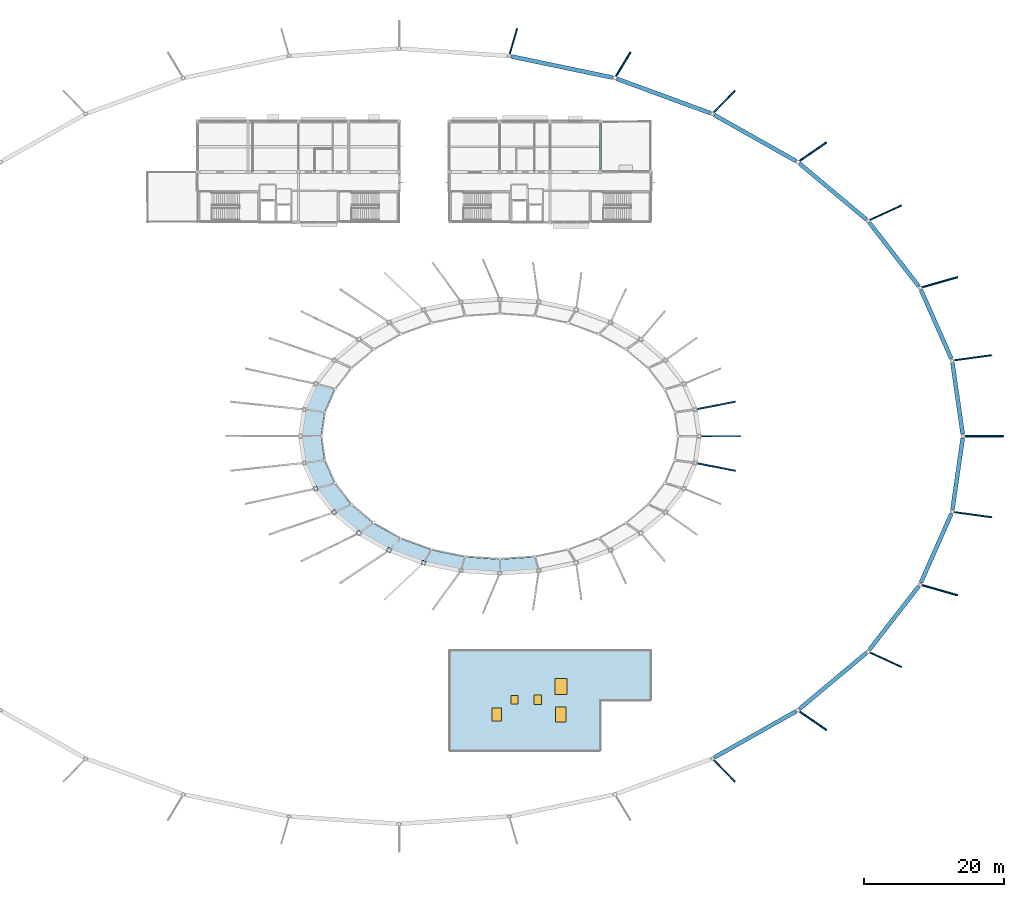
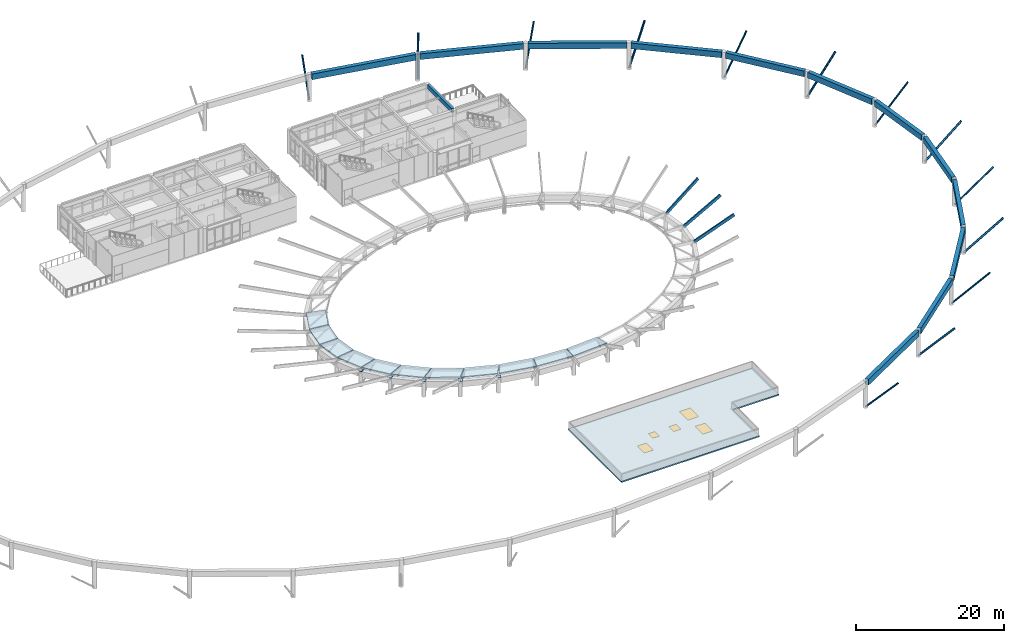
# One storey, part 14 of 37: 16 members, 13 beams, 12 slabs, 5 plates, 3 windows, 2 doors, 5 openings.
"""IFC4 building model written with IfcOpenShell, lengths in metres."""

from ifc_helpers import new_model, si_unit, direction, frame, origin, origin_2d, place, context, subcontext, project, spatial, polyline, rectangle, hollow_circle, outline, extrude, material, layer, layer_set, material_profile, profile_set, type_object, element, fill, save


model = new_model("IFC4")

# Units and contexts
model_context = context("Model", 3, precision=1e-05, world=origin(), true_north=direction((0.0, 1.0)))
body_context = subcontext(model_context, "Body", "Model", "MODEL_VIEW")
ifc_project = project(units=[si_unit("LENGTHUNIT", "METRE"), si_unit("AREAUNIT", "SQUARE_METRE"), si_unit("VOLUMEUNIT", "CUBIC_METRE"), si_unit("PLANEANGLEUNIT", "RADIAN"), si_unit("MASSUNIT", "GRAM", prefix="KILO")], contexts=[model_context])

# Site, building, storey
site_placement = place(None, origin())
site = spatial("IfcSite", under=ifc_project, at=site_placement, CompositionType="ELEMENT")
building_placement = place(site_placement, origin())
building = spatial("IfcBuilding", under=site, at=building_placement, Name="Namkhue Oval Health Centre", CompositionType="ELEMENT")
storey_placement = place(building_placement, frame((0.0, 0.0, 22.199951171875)))
storey = spatial("IfcBuildingStorey", under=building, at=storey_placement, Name="L05", CompositionType="ELEMENT", Elevation=22.199951171875)

# Members
ifc_material_1 = material(Name="Structural steel EN 10025-2 S355JR (TCVN 5575:2024)", Category="steel")
ifc_material_profile_1 = material_profile(ifc_material_1, hollow_circle(Radius=0.136474609375, WallThickness=0.012451171875, at=origin_2d()), Name="CHS 273x12.5")
ifc_profile_set_1 = profile_set([ifc_material_profile_1], Name="Structural steel EN 10025-2 S355JR (TCVN 5575:2024)")
member_type_1 = type_object("IfcMemberType", Name="CANOPY STRUT CHS 273", PredefinedType="STRUT", material=ifc_profile_set_1)
member_1_placement = place(storey_placement, frame((165.505615234375, 70.218017578125, 0.11279296875), z_axis=(0.759271337259, 0.103800202316, 0.642442646791), x_axis=(-0.13545038273, 0.990784130787, 0.0)))
element("IfcMember", 1, at=member_1_placement, inside=storey, type_object=member_type_1, Name="Outer Overhang Tree-Branch Canopy Strut 2", PredefinedType="STRUT", context=body_context, shape_type="SweptSolid", body=[
    extrude(hollow_circle(Radius=0.136474609375, WallThickness=0.012451171875, at=origin_2d()), origin(), (0.0, 0.0, 1.0), 7.420654296875),
])
member_2_placement = place(storey_placement, frame((153.463134765625, 90.20703125, 0.113525390625), z_axis=(0.67310995721, 0.309199778933, 0.671802413075), x_axis=(-0.417425531748, 0.908711134214, 0.0)))
element("IfcMember", 2, at=member_2_placement, inside=storey, type_object=member_type_1, Name="Outer Overhang Tree-Branch Canopy Strut 4", PredefinedType="STRUT", context=body_context, shape_type="SweptSolid", body=[
    extrude(hollow_circle(Radius=0.136474609375, WallThickness=0.012451171875, at=origin_2d()), origin(), (0.0, 0.0, 1.0), 7.09521484375),
])
member_3_placement = place(storey_placement, frame((131.210693359375, 105.506591796875, 0.114501953125), z_axis=(0.482838358005, 0.496766742807, 0.721172602974), x_axis=(-0.717088204568, 0.696982429384, 0.0)))
element("IfcMember", 3, at=member_3_placement, inside=storey, type_object=member_type_1, Name="Outer Overhang Tree-Branch Canopy Strut 6", PredefinedType="STRUT", context=body_context, shape_type="SweptSolid", body=[
    extrude(hollow_circle(Radius=0.136474609375, WallThickness=0.012451171875, at=origin_2d()), origin(), (0.0, 0.0, 1.0), 6.608154296875),
])
member_4_placement = place(storey_placement, frame((102.1357421875, 113.787109375, 0.115234375), z_axis=(0.179481966001, 0.620362906898, 0.763502513175), x_axis=(-0.960604276788, 0.277919814725, 0.0)))
element("IfcMember", 4, at=member_4_placement, inside=storey, type_object=member_type_1, Name="Outer Overhang Tree-Branch Canopy Strut 8", PredefinedType="STRUT", context=body_context, shape_type="SweptSolid", body=[
    extrude(hollow_circle(Radius=0.136474609375, WallThickness=0.012451171875, at=origin_2d()), origin(), (0.0, 0.0, 1.0), 6.24072265625),
])
member_5_placement = place(storey_placement, frame((131.210693359375, 13.29345703125, 0.114501953125), z_axis=(0.482838358005, -0.496766742807, 0.721172602974), x_axis=(0.717088204568, 0.696982429384, 0.0)))
element("IfcMember", 5, at=member_5_placement, inside=storey, type_object=member_type_1, Name="Outer Overhang Tree-Branch Canopy Strut 28", PredefinedType="STRUT", context=body_context, shape_type="SweptSolid", body=[
    extrude(hollow_circle(Radius=0.136474609375, WallThickness=0.012451171875, at=origin_2d()), origin(), (0.0, 0.0, 1.0), 6.608154296875),
])
member_6_placement = place(storey_placement, frame((153.463134765625, 28.593017578125, 0.113525390625), z_axis=(0.67310995721, -0.309199778933, 0.671802413075), x_axis=(0.417425531748, 0.908711134214, 0.0)))
element("IfcMember", 6, at=member_6_placement, inside=storey, type_object=member_type_1, Name="Outer Overhang Tree-Branch Canopy Strut 30", PredefinedType="STRUT", context=body_context, shape_type="SweptSolid", body=[
    extrude(hollow_circle(Radius=0.136474609375, WallThickness=0.012451171875, at=origin_2d()), origin(), (0.0, 0.0, 1.0), 7.09521484375),
])
member_7_placement = place(storey_placement, frame((165.505615234375, 48.58203125, 0.11279296875), z_axis=(0.759268743912, -0.103832747889, 0.642440452481), x_axis=(0.135492526673, 0.990778368363, 0.0)))
element("IfcMember", 7, at=member_7_placement, inside=storey, type_object=member_type_1, Name="Outer Overhang Tree-Branch Canopy Strut 32", PredefinedType="STRUT", context=body_context, shape_type="SweptSolid", body=[
    extrude(hollow_circle(Radius=0.136474609375, WallThickness=0.012451171875, at=origin_2d()), origin(), (0.0, 0.0, 1.0), 7.420654296875),
])
ifc_material_profile_2 = material_profile(ifc_material_1, hollow_circle(Radius=0.161865234375, WallThickness=0.012451171875, at=origin_2d()), Name="CHS 323.9x12.5")
ifc_profile_set_2 = profile_set([ifc_material_profile_2], Name="Structural steel EN 10025-2 S355JR (TCVN 5575:2024)")
member_type_2 = type_object("IfcMemberType", Name="CANOPY STRUT CHS 324", PredefinedType="STRUT", material=ifc_profile_set_2)
member_8_placement = place(storey_placement, frame((167.055419921875, 59.39990234375, 0.11279296875), z_axis=(0.769527840344, 0.0, 0.63861326555), x_axis=(0.0, 1.0, 0.0)))
element("IfcMember", 8, at=member_8_placement, inside=storey, type_object=member_type_2, Name="Outer Overhang Tree-Branch Canopy Strut 1", PredefinedType="STRUT", context=body_context, shape_type="SweptSolid", body=[
    extrude(hollow_circle(Radius=0.161865234375, WallThickness=0.012451171875, at=origin_2d()), origin(), (0.0, 0.0, 1.0), 7.465087890625),
])
member_9_placement = place(storey_placement, frame((160.916259765625, 80.6201171875, 0.113037109375), z_axis=(0.727776795173, 0.20724747491, 0.653750273844), x_axis=(-0.273879523741, 0.961764007683, 0.0)))
element("IfcMember", 9, at=member_9_placement, inside=storey, type_object=member_type_2, Name="Outer Overhang Tree-Branch Canopy Strut 3", PredefinedType="STRUT", context=body_context, shape_type="SweptSolid", body=[
    extrude(hollow_circle(Radius=0.161865234375, WallThickness=0.012451171875, at=origin_2d()), origin(), (0.0, 0.0, 1.0), 7.2919921875),
])
member_10_placement = place(storey_placement, frame((143.432861328125, 98.610107421875, 0.114013671875), z_axis=(0.592343559008, 0.407240648119, 0.695186422926), x_axis=(-0.566533027819, 0.824039033293, 0.0)))
element("IfcMember", 10, at=member_10_placement, inside=storey, type_object=member_type_2, Name="Outer Overhang Tree-Branch Canopy Strut 5", PredefinedType="STRUT", context=body_context, shape_type="SweptSolid", body=[
    extrude(hollow_circle(Radius=0.161865234375, WallThickness=0.012451171875, at=origin_2d()), origin(), (0.0, 0.0, 1.0), 6.85595703125),
])
member_11_placement = place(storey_placement, frame((117.2666015625, 110.63134765625, 0.114990234375), z_axis=(0.343848188166, 0.570711581646, 0.745692104068), x_axis=(-0.85655043467, 0.516063322535, 0.0)))
element("IfcMember", 11, at=member_11_placement, inside=storey, type_object=member_type_2, Name="Outer Overhang Tree-Branch Canopy Strut 7", PredefinedType="STRUT", context=body_context, shape_type="SweptSolid", body=[
    extrude(hollow_circle(Radius=0.161865234375, WallThickness=0.012451171875, at=origin_2d()), origin(), (0.0, 0.0, 1.0), 6.39013671875),
])
member_12_placement = place(storey_placement, frame((143.432861328125, 20.18994140625, 0.114013671875), z_axis=(0.592343559008, -0.407240648119, 0.695186422926), x_axis=(0.566533027819, 0.824039033293, 0.0)))
element("IfcMember", 12, at=member_12_placement, inside=storey, type_object=member_type_2, Name="Outer Overhang Tree-Branch Canopy Strut 29", PredefinedType="STRUT", context=body_context, shape_type="SweptSolid", body=[
    extrude(hollow_circle(Radius=0.161865234375, WallThickness=0.012451171875, at=origin_2d()), origin(), (0.0, 0.0, 1.0), 6.85595703125),
])
member_13_placement = place(storey_placement, frame((160.916259765625, 38.179931640625, 0.113037109375), z_axis=(0.727776795173, -0.20724747491, 0.653750273844), x_axis=(0.273879523741, 0.961764007683, 0.0)))
element("IfcMember", 13, at=member_13_placement, inside=storey, type_object=member_type_2, Name="Outer Overhang Tree-Branch Canopy Strut 31", PredefinedType="STRUT", context=body_context, shape_type="SweptSolid", body=[
    extrude(hollow_circle(Radius=0.161865234375, WallThickness=0.012451171875, at=origin_2d()), origin(), (0.0, 0.0, 1.0), 7.2919921875),
])
ifc_material_2 = material(Name="Glulam timber GL28h", Category="wood")
ifc_material_profile_3 = material_profile(ifc_material_2, rectangle(XDim=0.199951171875, YDim=0.47998046875, at=origin_2d()), Name="GL28h 200x480")
ifc_profile_set_3 = profile_set([ifc_material_profile_3], Name="Glulam timber GL28h")
member_type_3 = type_object("IfcMemberType", Name="GRIDSHELL ARCH RIB GL28H 200X480", PredefinedType="USERDEFINED", material=ifc_profile_set_3)
member_14_placement = place(storey_placement, frame((135.1201171875, 59.39990234375, 5.800048828125), z_axis=(-0.875865885245, 0.0, -0.482554609412), x_axis=(0.0, -1.0, 0.0)))
element("IfcMember", 14, at=member_14_placement, inside=storey, type_object=member_type_3, Name="Gridshell Glulam Arch Rib K5-1", ObjectType="ARCH_SEGMENT", PredefinedType="USERDEFINED", context=body_context, shape_type="SweptSolid", body=[
    extrude(rectangle(XDim=0.199951171875, YDim=0.47998046875, at=origin_2d()), origin(), (0.0, 0.0, 1.0), 6.63134765625),
])
for number, where, z_axis, x_axis, name in (
    (15, (134.41455078125, 64.324951171875, 5.800048828125), (-0.85790967395, -0.167141147591, -0.485854739737), (0.191228352942, -0.981545575626, 0.0), "Gridshell Glulam Arch Rib K5-2"),
    (16, (134.41455078125, 54.474853515625, 5.800048828125), (-0.857904358106, 0.167177180049, -0.485851729247), (-0.19126921194, -0.981537614442, 0.0), "Gridshell Glulam Arch Rib K5-32"),
):
    element("IfcMember", number, at=place(storey_placement, frame(where, z_axis=z_axis, x_axis=x_axis)), inside=storey, type_object=member_type_3, Name=name, ObjectType="ARCH_SEGMENT", PredefinedType="USERDEFINED", context=body_context, shape_type="SweptSolid", body=[
        extrude(rectangle(XDim=0.199951171875, YDim=0.47998046875, at=origin_2d()), origin(), (0.0, 0.0, 1.0), 6.586181640625),
    ])

# Beams
ifc_material_3 = material(Name="Reinforced concrete C35/45 (TCVN B40)", Category="concrete")
ifc_material_profile_4 = material_profile(ifc_material_3, rectangle(XDim=0.35009765625, YDim=0.64990234375, at=origin_2d()), Name="RC 350x650")
ifc_profile_set_4 = profile_set([ifc_material_profile_4], Name="Reinforced concrete C35/45 (TCVN B40)")
beam_type_1 = type_object("IfcBeamType", Name="PERIMETER SPANDREL BEAM 350X650", PredefinedType="SPANDREL", material=ifc_profile_set_4)
beam_1_placement = place(storey_placement, frame((115.199951171875, 97.5, 3.64501953125), z_axis=(0.0, 1.0, 0.0), x_axis=(-1.0, 0.0, 0.0)))
element("IfcBeam", 17, at=beam_1_placement, inside=storey, type_object=beam_type_1, Name="Volume V3 RF Beam 17/O-P", PredefinedType="SPANDREL", context=body_context, shape_type="SweptSolid", body=[
    extrude(rectangle(XDim=0.35009765625, YDim=0.64990234375, at=origin_2d()), origin(), (0.0, 0.0, 1.0), 6.60009765625),
])
ifc_material_profile_5 = material_profile(ifc_material_3, rectangle(XDim=0.60009765625, YDim=0.949951171875, at=origin_2d()), Name="RC 600x950")
ifc_profile_set_5 = profile_set([ifc_material_profile_5], Name="Reinforced concrete C35/45 (TCVN B40)")
beam_type_2 = type_object("IfcBeamType", Name="RING GIRDER RC 600X950", PredefinedType="USERDEFINED", material=ifc_profile_set_5)
beam_2_placement = place(storey_placement, frame((166.99658203125, 59.701904296875, 4.025146484375), z_axis=(-0.141805678727, 0.98989451432, 0.0), x_axis=(-0.98989451432, -0.141805678727, 0.0)))
element("IfcBeam", 18, at=beam_2_placement, inside=storey, type_object=beam_type_2, Name="Gridshell OR Concrete Ring Girder 1", ObjectType="GIRDER", PredefinedType="USERDEFINED", context=body_context, shape_type="SweptSolid", body=[
    extrude(rectangle(XDim=0.60009765625, YDim=0.949951171875, at=origin_2d()), origin(), (0.0, 0.0, 1.0), 10.316162109375),
])
beam_3_placement = place(storey_placement, frame((165.367431640625, 70.494873046875, 4.025146484375), z_axis=(-0.403675407308, 0.914902271029, 0.0), x_axis=(-0.914902271029, -0.403675407308, 0.0)))
element("IfcBeam", 19, at=beam_3_placement, inside=storey, type_object=beam_type_2, Name="Gridshell OR Concrete Ring Girder 2", ObjectType="GIRDER", PredefinedType="USERDEFINED", context=body_context, shape_type="SweptSolid", body=[
    extrude(rectangle(XDim=0.60009765625, YDim=0.949951171875, at=origin_2d()), origin(), (0.0, 0.0, 1.0), 10.757568359375),
])
beam_4_placement = place(storey_placement, frame((160.71435546875, 80.856689453125, 4.025146484375), z_axis=(-0.613782292741, 0.789475330278, 0.0), x_axis=(-0.789475330278, -0.613782292741, 0.0)))
element("IfcBeam", 20, at=beam_4_placement, inside=storey, type_object=beam_type_2, Name="Gridshell OR Concrete Ring Girder 3", ObjectType="GIRDER", PredefinedType="USERDEFINED", context=body_context, shape_type="SweptSolid", body=[
    extrude(rectangle(XDim=0.60009765625, YDim=0.949951171875, at=origin_2d()), origin(), (0.0, 0.0, 1.0), 11.53076171875),
])
beam_5_placement = place(storey_placement, frame((153.2158203125, 90.396728515625, 4.025146484375), z_axis=(-0.766572565039, 0.642157692883, 0.0), x_axis=(-0.642157692883, -0.766572565039, 0.0)))
element("IfcBeam", 21, at=beam_5_placement, inside=storey, type_object=beam_type_2, Name="Gridshell OR Concrete Ring Girder 4", ObjectType="GIRDER", PredefinedType="USERDEFINED", context=body_context, shape_type="SweptSolid", body=[
    extrude(rectangle(XDim=0.60009765625, YDim=0.949951171875, at=origin_2d()), origin(), (0.0, 0.0, 1.0), 12.472412109375),
])
beam_6_placement = place(storey_placement, frame((143.155517578125, 98.751953125, 4.025146484375), z_axis=(-0.870943734292, 0.491382754782, 0.0), x_axis=(-0.491382754782, -0.870943734292, 0.0)))
element("IfcBeam", 22, at=beam_6_placement, inside=storey, type_object=beam_type_2, Name="Gridshell OR Concrete Ring Girder 5", ObjectType="GIRDER", PredefinedType="USERDEFINED", context=body_context, shape_type="SweptSolid", body=[
    extrude(rectangle(XDim=0.60009765625, YDim=0.949951171875, at=origin_2d()), origin(), (0.0, 0.0, 1.0), 13.420654296875),
])
beam_7_placement = place(storey_placement, frame((130.914794921875, 105.601806640625, 4.025146484375), z_axis=(-0.938628425473, 0.344929962304, 0.0), x_axis=(-0.344929962304, -0.938628425473, 0.0)))
element("IfcBeam", 23, at=beam_7_placement, inside=storey, type_object=beam_type_2, Name="Gridshell OR Concrete Ring Girder 6", ObjectType="GIRDER", PredefinedType="USERDEFINED", context=body_context, shape_type="SweptSolid", body=[
    extrude(rectangle(XDim=0.60009765625, YDim=0.949951171875, at=origin_2d()), origin(), (0.0, 0.0, 1.0), 14.242919921875),
])
beam_8_placement = place(storey_placement, frame((116.9609375, 110.68212890625, 4.025146484375), z_axis=(-0.978938251723, 0.204156555891, 0.0), x_axis=(-0.204156555891, -0.978938251723, 0.0)))
element("IfcBeam", 24, at=beam_8_placement, inside=storey, type_object=beam_type_2, Name="Gridshell OR Concrete Ring Girder 7", ObjectType="GIRDER", PredefinedType="USERDEFINED", context=body_context, shape_type="SweptSolid", body=[
    extrude(rectangle(XDim=0.60009765625, YDim=0.949951171875, at=origin_2d()), origin(), (0.0, 0.0, 1.0), 14.8427734375),
])
beam_9_placement = place(storey_placement, frame((131.466796875, 13.453125, 4.025146484375), z_axis=(0.870935948991, 0.491396553462, 0.0), x_axis=(-0.491396553462, 0.870935948991, 0.0)))
element("IfcBeam", 25, at=beam_9_placement, inside=storey, type_object=beam_type_2, Name="Gridshell OR Concrete Ring Girder 28", ObjectType="GIRDER", PredefinedType="USERDEFINED", context=body_context, shape_type="SweptSolid", body=[
    extrude(rectangle(XDim=0.60009765625, YDim=0.949951171875, at=origin_2d()), origin(), (0.0, 0.0, 1.0), 13.4208984375),
])
beam_10_placement = place(storey_placement, frame((143.65478515625, 20.393798828125, 4.025146484375), z_axis=(0.766562929372, 0.642169195238, 0.0), x_axis=(-0.642169195238, 0.766562929372, 0.0)))
element("IfcBeam", 26, at=beam_10_placement, inside=storey, type_object=beam_type_2, Name="Gridshell OR Concrete Ring Girder 29", ObjectType="GIRDER", PredefinedType="USERDEFINED", context=body_context, shape_type="SweptSolid", body=[
    extrude(rectangle(XDim=0.60009765625, YDim=0.949951171875, at=origin_2d()), origin(), (0.0, 0.0, 1.0), 12.47265625),
])
beam_11_placement = place(storey_placement, frame((153.636962890625, 28.840087890625, 4.025146484375), z_axis=(0.613792552546, 0.789467353625, 0.0), x_axis=(-0.789467353625, 0.613792552546, 0.0)))
element("IfcBeam", 27, at=beam_11_placement, inside=storey, type_object=beam_type_2, Name="Gridshell OR Concrete Ring Girder 30", ObjectType="GIRDER", PredefinedType="USERDEFINED", context=body_context, shape_type="SweptSolid", body=[
    extrude(rectangle(XDim=0.60009765625, YDim=0.949951171875, at=origin_2d()), origin(), (0.0, 0.0, 1.0), 11.530517578125),
])
beam_12_placement = place(storey_placement, frame((161.02490234375, 38.463134765625, 4.025146484375), z_axis=(0.403675407308, 0.914902271029, 0.0), x_axis=(-0.914902271029, 0.403675407308, 0.0)))
element("IfcBeam", 28, at=beam_12_placement, inside=storey, type_object=beam_type_2, Name="Gridshell OR Concrete Ring Girder 31", ObjectType="GIRDER", PredefinedType="USERDEFINED", context=body_context, shape_type="SweptSolid", body=[
    extrude(rectangle(XDim=0.60009765625, YDim=0.949951171875, at=origin_2d()), origin(), (0.0, 0.0, 1.0), 10.757568359375),
])
beam_13_placement = place(storey_placement, frame((165.53369140625, 48.885986328125, 4.025146484375), z_axis=(0.141802356768, 0.989894990196, 0.0), x_axis=(-0.989894990196, 0.141802356768, 0.0)))
element("IfcBeam", 29, at=beam_13_placement, inside=storey, type_object=beam_type_2, Name="Gridshell OR Concrete Ring Girder 32", ObjectType="GIRDER", PredefinedType="USERDEFINED", context=body_context, shape_type="SweptSolid", body=[
    extrude(rectangle(XDim=0.60009765625, YDim=0.949951171875, at=origin_2d()), origin(), (0.0, 0.0, 1.0), 10.31640625),
])

# Slab, openings, doors, windows
ifc_material_4 = material(Name="Reinforced concrete C30/37 (TCVN B35)", Category="concrete")
ifc_layer_1 = layer(ifc_material_4, 0.219970703125)
ifc_layer_set_1 = layer_set([ifc_layer_1], Name="Reinforced concrete C30/37 (TCVN B35)")
slab_type_1 = type_object("IfcSlabType", Name="FLAT ROOF SLAB 220", PredefinedType="ROOF", material=ifc_layer_set_1)
slab_1_placement = place(storey_placement, origin())
slab_1 = element("IfcSlab", 30, at=slab_1_placement, inside=storey, type_object=slab_type_1, Name="Volume V5 L05 Main Roof Slab", PredefinedType="ROOF", context=body_context, shape_type="SweptSolid", body=[
    extrude(outline(polyline([(93.60009765625, 14.39990234375), (115.199951171875, 14.39990234375), (115.199951171875, 21.60009765625), (122.39990234375, 21.60009765625), (122.39990234375, 28.800048828125), (93.60009765625, 28.800048828125), (93.60009765625, 14.39990234375)])), origin(), (0.0, 0.0, 1.0), 0.219970703125),
])
opening_1_placement = place(slab_1_placement, frame((102.903076171875, 21.7080078125, 0.0)))
opening_1 = element("IfcOpeningElement", 31, at=opening_1_placement, cuts=slab_1, Name="Opening HT-01", PredefinedType="OPENING", context=body_context, shape_type="SweptSolid", body=[
    extrude(rectangle(XDim=1.0, YDim=1.199951171875, at=origin_2d()), frame((0.0, 0.0, -0.010009765625)), (0.0, 0.0, 1.0), 0.239990234375),
])
opening_2_placement = place(slab_1_placement, frame((106.202880859375, 21.7080078125, 0.0)))
opening_2 = element("IfcOpeningElement", 32, at=opening_2_placement, cuts=slab_1, Name="Opening HT-02", PredefinedType="OPENING", context=body_context, shape_type="SweptSolid", body=[
    extrude(rectangle(XDim=1.10009765625, YDim=1.300048828125, at=origin_2d()), frame((0.0, 0.0, -0.010009765625)), (0.0, 0.0, 1.0), 0.239990234375),
])
opening_3_placement = place(slab_1_placement, frame((100.3740234375, 19.60009765625, 0.0)))
opening_3 = element("IfcOpeningElement", 33, at=opening_3_placement, cuts=slab_1, Name="Opening SK-06", PredefinedType="OPENING", context=body_context, shape_type="SweptSolid", body=[
    extrude(rectangle(XDim=1.39990234375, YDim=1.89990234375, at=origin_2d()), frame((0.0, 0.0, -0.010009765625)), (0.0, 0.0, 1.0), 0.239990234375),
])
opening_4_placement = place(slab_1_placement, frame((109.52197265625, 19.60009765625, 0.0)))
opening_4 = element("IfcOpeningElement", 34, at=opening_4_placement, cuts=slab_1, Name="Opening SK-07", PredefinedType="OPENING", context=body_context, shape_type="SweptSolid", body=[
    extrude(rectangle(XDim=1.550048828125, YDim=2.10009765625, at=origin_2d()), frame((0.0, 0.0, -0.010009765625)), (0.0, 0.0, 1.0), 0.239990234375),
])
opening_5_placement = place(slab_1_placement, frame((109.52197265625, 23.60009765625, 0.0)))
opening_5 = element("IfcOpeningElement", 35, at=opening_5_placement, cuts=slab_1, Name="Opening SK-08", PredefinedType="OPENING", context=body_context, shape_type="SweptSolid", body=[
    extrude(rectangle(XDim=1.699951171875, YDim=2.300048828125, at=origin_2d()), frame((0.0, 0.0, -0.010009765625)), (0.0, 0.0, 1.0), 0.239990234375),
])
ifc_material_5 = material(Name="Insulated aluminium roof access hatch", Category="aluminium")
door_type_1 = type_object("IfcDoorType", Name="ROOF ACCESS TRAPDOOR 1000X1200", OperationType="SINGLE_SWING_LEFT", PredefinedType="TRAPDOOR", material=ifc_material_5)
door_1_placement = place(opening_1_placement, frame((0.0, 0.0, 0.169921875)))
door_1 = element("IfcDoor", 36, at=door_1_placement, inside=storey, type_object=door_type_1, Name="Volume V5 Roof Maintenance Hatch 1", OperationType="SINGLE_SWING_LEFT", OverallHeight=1.199951171875, OverallWidth=1.0, PredefinedType="TRAPDOOR", context=body_context, shape_type="SweptSolid", body=[
    extrude(rectangle(XDim=1.0, YDim=1.199951171875, at=origin_2d()), origin(), (0.0, 0.0, 1.0), 0.050048828125),
])
fill(opening_1, door_1)
door_type_2 = type_object("IfcDoorType", Name="ROOF ACCESS TRAPDOOR 1100X1300", OperationType="SINGLE_SWING_LEFT", PredefinedType="TRAPDOOR", material=ifc_material_5)
door_2_placement = place(opening_2_placement, frame((0.0, 0.0, 0.169921875)))
door_2 = element("IfcDoor", 37, at=door_2_placement, inside=storey, type_object=door_type_2, Name="Volume V5 Roof Maintenance Hatch 2", OperationType="SINGLE_SWING_LEFT", OverallHeight=1.300048828125, OverallWidth=1.10009765625, PredefinedType="TRAPDOOR", context=body_context, shape_type="SweptSolid", body=[
    extrude(rectangle(XDim=1.10009765625, YDim=1.300048828125, at=origin_2d()), origin(), (0.0, 0.0, 1.0), 0.050048828125),
])
fill(opening_2, door_2)
ifc_material_6 = material(Name="Laminated solar-control double-glazed skylight", Category="glass")
window_type_1 = type_object("IfcWindowType", Name="ROOF SKYLIGHT 1400X1900", PartitioningType="SINGLE_PANEL", PredefinedType="SKYLIGHT", material=ifc_material_6)
window_1_placement = place(opening_3_placement, frame((0.0, 0.0, 0.169921875)))
window_1 = element("IfcWindow", 38, at=window_1_placement, inside=storey, type_object=window_type_1, Name="Volume V5 L05 Roof Skylight 1", OverallHeight=1.89990234375, OverallWidth=1.39990234375, PartitioningType="SINGLE_PANEL", PredefinedType="SKYLIGHT", context=body_context, shape_type="SweptSolid", body=[
    extrude(rectangle(XDim=1.39990234375, YDim=1.89990234375, at=origin_2d()), origin(), (0.0, 0.0, 1.0), 0.050048828125),
])
fill(opening_3, window_1)
window_type_2 = type_object("IfcWindowType", Name="ROOF SKYLIGHT 1550X2100", PartitioningType="SINGLE_PANEL", PredefinedType="SKYLIGHT", material=ifc_material_6)
window_2_placement = place(opening_4_placement, frame((0.0, 0.0, 0.169921875)))
window_2 = element("IfcWindow", 39, at=window_2_placement, inside=storey, type_object=window_type_2, Name="Volume V5 L05 Roof Skylight 2", OverallHeight=2.10009765625, OverallWidth=1.550048828125, PartitioningType="SINGLE_PANEL", PredefinedType="SKYLIGHT", context=body_context, shape_type="SweptSolid", body=[
    extrude(rectangle(XDim=1.550048828125, YDim=2.10009765625, at=origin_2d()), origin(), (0.0, 0.0, 1.0), 0.050048828125),
])
fill(opening_4, window_2)
window_type_3 = type_object("IfcWindowType", Name="ROOF SKYLIGHT 1700X2300", PartitioningType="SINGLE_PANEL", PredefinedType="SKYLIGHT", material=ifc_material_6)
window_3_placement = place(opening_5_placement, frame((0.0, 0.0, 0.169921875)))
window_3 = element("IfcWindow", 40, at=window_3_placement, inside=storey, type_object=window_type_3, Name="Volume V5 L05 Roof Skylight 3", OverallHeight=2.300048828125, OverallWidth=1.699951171875, PartitioningType="SINGLE_PANEL", PredefinedType="SKYLIGHT", context=body_context, shape_type="SweptSolid", body=[
    extrude(rectangle(XDim=1.699951171875, YDim=2.300048828125, at=origin_2d()), origin(), (0.0, 0.0, 1.0), 0.050048828125),
])
fill(opening_5, window_3)

# Plates
ifc_layer_2 = layer(ifc_material_1, 0.02490234375)
ifc_layer_set_2 = layer_set([ifc_layer_2], Name="Structural steel EN 10025-2 S355JR (TCVN 5575:2024)")
plate_type = type_object("IfcPlateType", Name="GRIDSHELL GUSSET PLATE 600X600X25", PredefinedType="USERDEFINED", material=ifc_layer_set_2)
for number, where, z_axis, x_axis, name in (
    (41, (74.458251953125, 51.898681640625, 2.607666015625), (0.0, 0.0, 1.0), (-0.923879532511, -0.382683432365, 0.0), "Gridshell Node Gusset Plate K6-19"),
    (42, (77.093017578125, 48.509765625, 2.607666015625), (0.0, 0.0, 1.0), (-0.831469612303, -0.55557023302, 0.0), "Gridshell Node Gusset Plate K6-20"),
    (43, (80.638916015625, 45.539306640625, 2.607666015625), (0.0, 0.0, 1.0), (-0.707106781187, -0.707106781187, 0.0), "Gridshell Node Gusset Plate K6-21"),
    (44, (84.95947265625, 43.1015625, 2.607666015625), (0.0, 0.0, 1.0), (-0.55557023302, -0.831469612303, 0.0), "Gridshell Node Gusset Plate K6-22"),
    (45, (89.888916015625, 41.2900390625, 2.607666015625), (0.0, 0.0, 1.0), (-0.382683432365, -0.923879532511, 0.0), "Gridshell Node Gusset Plate K6-23"),
):
    element("IfcPlate", number, at=place(storey_placement, frame(where, z_axis=z_axis, x_axis=x_axis)), inside=storey, type_object=plate_type, Name=name, ObjectType="GUSSET_PLATE", PredefinedType="USERDEFINED", context=body_context, shape_type="SweptSolid", body=[
        extrude(rectangle(XDim=0.60009765625, YDim=0.60009765625, at=origin_2d()), origin(), (0.0, 0.0, 1.0), 0.02490234375),
    ])

# Slabs
ifc_layer_3 = layer(ifc_material_4, 0.18994140625)
ifc_layer_set_3 = layer_set([ifc_layer_3], Name="Reinforced concrete C30/37 (TCVN B35)")
slab_type_2 = type_object("IfcSlabType", Name="GRIDSHELL ROOF PANEL 190", PredefinedType="ROOF", material=ifc_layer_set_3)
slab_2_placement = place(storey_placement, frame((74.528564453125, 66.837646484375, 3.033203125), z_axis=(-0.012751836889, 0.005626725158, 0.999902860592), x_axis=(-0.403669346891, -0.914904944997, 3.93041e-07)))
element("IfcSlab", 46, at=slab_2_placement, inside=storey, type_object=slab_type_2, Name="Gridshell Planar Roof Panel K6-15", PredefinedType="ROOF", context=body_context, shape_type="SweptSolid", body=[
    extrude(outline(polyline([(0.0, 0.0), (3.9197313902014943, -2.220446049250313e-16), (3.14520027142435, 2.6973935600054926), (-0.3748852748919015, 2.697603356268777), (0.0, 0.0)])), origin(), (0.0, 0.0, -1.0), 0.18994140625),
])
slab_3_placement = place(storey_placement, frame((72.9189453125, 63.17041015625, 3.033203125), z_axis=(-0.013227513667, 0.001894534857, 0.999910717824), x_axis=(-0.141757109759, -0.98990147077, 3.08762e-07)))
element("IfcSlab", 47, at=slab_3_placement, inside=storey, type_object=slab_type_2, Name="Gridshell Planar Roof Panel K6-16", PredefinedType="ROOF", context=body_context, shape_type="SweptSolid", body=[
    extrude(outline(polyline([(0.0, 0.0), (3.7665522608991493, -1.1102230246251565e-16), (3.363672752317656, 2.813591800495242), (-0.01766516951434177, 2.813756964202493), (0.0, 0.0)])), origin(), (0.0, 0.0, -1.0), 0.18994140625),
])
slab_4_placement = place(storey_placement, frame((72.385009765625, 59.35791015625, 3.033203125), z_axis=(-0.01322759064, -0.001894611254, 0.999910716661), x_axis=(0.1417662052, -0.989900168231, -2.50692e-07)))
element("IfcSlab", 48, at=slab_4_placement, inside=storey, type_object=slab_type_2, Name="Gridshell Planar Roof Panel K6-17", PredefinedType="ROOF", context=body_context, shape_type="SweptSolid", body=[
    extrude(outline(polyline([(0.0, 0.0), (3.7663105858943156, 1.1102230246251565e-16), (3.7842432835882884, 2.8137221939737134), (0.402905360381398, 2.813588098642962), (0.0, 0.0)])), origin(), (0.0, 0.0, -1.0), 0.18994140625),
])
slab_5_placement = place(storey_placement, frame((72.9462890625, 55.548583984375, 3.033203125), z_axis=(-0.012751836889, -0.005626725158, 0.999902860592), x_axis=(0.403669346891, -0.914904944997, -3.93041e-07)))
element("IfcSlab", 49, at=slab_5_placement, inside=storey, type_object=slab_type_2, Name="Gridshell Planar Roof Panel K6-18", PredefinedType="ROOF", context=body_context, shape_type="SweptSolid", body=[
    extrude(outline(polyline([(0.0, 0.0), (3.9197313902014943, 2.220446049250313e-16), (4.294616665093396, 2.697603356268777), (0.7745311187771443, 2.6973935600054926), (0.0, 0.0)])), origin(), (0.0, 0.0, -1.0), 0.18994140625),
])
slab_6_placement = place(storey_placement, frame((74.57958984375, 51.889404296875, 3.033447265625), z_axis=(-0.011729214528, -0.009119124523, 0.999889627456), x_axis=(0.613767102828, -0.789487139532, -4.25563e-07)))
element("IfcSlab", 50, at=slab_6_placement, inside=storey, type_object=slab_type_2, Name="Gridshell Planar Roof Panel K6-19", PredefinedType="ROOF", context=body_context, shape_type="SweptSolid", body=[
    extrude(outline(polyline([(0.0, 0.0), (4.188958533197765, -4.440892098500626e-16), (4.778150388455016, 2.5143259863172975), (1.013909830949152, 2.514098176892551), (0.0, 0.0)])), origin(), (0.0, 0.0, -1.0), 0.18994140625),
])
slab_7_placement = place(storey_placement, frame((77.21923828125, 48.521484375, 3.033447265625), z_axis=(-0.010270059064, -0.012259456416, 0.999872107629), x_axis=(0.766562178317, -0.642170091778, -1.7406e-08)))
element("IfcSlab", 51, at=slab_7_placement, inside=storey, type_object=slab_type_2, Name="Gridshell Planar Roof Panel K6-20", PredefinedType="ROOF", context=body_context, shape_type="SweptSolid", body=[
    extrude(outline(polyline([(0.0, 0.0), (4.518066511790093, 0.0), (5.163127769079355, 2.3203914755164847), (1.100506492871073, 2.3203821364128387), (0.0, 0.0)])), origin(), (0.0, 0.0, -1.0), 0.18994140625),
])
slab_8_placement = place(storey_placement, frame((80.76220703125, 45.572998046875, 3.03369140625), z_axis=(-0.008420401719, -0.014924104276, 0.999853173194), x_axis=(0.870949742469, -0.491372105531, 4.58235e-07)))
element("IfcSlab", 52, at=slab_8_placement, inside=storey, type_object=slab_type_2, Name="Gridshell Planar Roof Panel K6-21", PredefinedType="ROOF", context=body_context, shape_type="SweptSolid", body=[
    extrude(outline(polyline([(0.0, 0.0), (4.850297335967979, 0.0), (5.416800502090147, 2.1512259391000494), (1.0518703851049742, 2.151472368370575), (0.0, 0.0)])), origin(), (0.0, 0.0, -1.0), 0.18994140625),
])
slab_9_placement = place(storey_placement, frame((85.0712890625, 43.15625, 3.03369140625), z_axis=(-0.006245252059, -0.016995810219, 0.999836056192), x_axis=(0.938631478879, -0.344921653216, -2.32821e-07)))
element("IfcSlab", 53, at=slab_9_placement, inside=storey, type_object=slab_type_2, Name="Gridshell Planar Roof Panel K6-22", PredefinedType="ROOF", context=body_context, shape_type="SweptSolid", body=[
    extrude(outline(polyline([(0.0, 0.0), (5.140150471499643, 2.220446049250313e-16), (5.529262739115443, 2.0225621291589655), (0.900520432350028, 2.0224365198295766), (0.0, 0.0)])), origin(), (0.0, 0.0, -1.0), 0.18994140625),
])
slab_10_placement = place(storey_placement, frame((89.981689453125, 41.36279296875, 3.03369140625), z_axis=(-0.003860493721, -0.018509862831, 0.999821224803), x_axis=(0.978937137203, -0.204161899982, 1.71938e-07)))
element("IfcSlab", 54, at=slab_10_placement, inside=storey, type_object=slab_type_2, Name="Gridshell Planar Roof Panel K6-23", PredefinedType="ROOF", context=body_context, shape_type="SweptSolid", body=[
    extrude(outline(polyline([(0.0, 0.0), (5.35248474193744, 2.220446049250313e-16), (5.500050405605943, 1.9367380125750526), (0.6777570883233258, 1.9368305352205142), (0.0, 0.0)])), origin(), (0.0, 0.0, -1.0), 0.18994140625),
])
slab_11_placement = place(storey_placement, frame((95.30615234375, 40.26025390625, 3.03369140625), z_axis=(-0.001305996168, -0.019286042891, 0.999813154006), x_axis=(0.997715626244, -0.0675538981, 1.65439e-07)))
element("IfcSlab", 55, at=slab_11_placement, inside=storey, type_object=slab_type_2, Name="Gridshell Planar Roof Panel K6-24", PredefinedType="ROOF", context=body_context, shape_type="SweptSolid", body=[
    extrude(outline(polyline([(0.0, 0.0), (5.464386997944844, 5.551115123125783e-17), (5.33614015057913, 1.8944547479561593), (0.41155447155791364, 1.894543662937836), (0.0, 0.0)])), origin(), (0.0, 0.0, -1.0), 0.18994140625),
])
slab_12_placement = place(storey_placement, frame((100.842041015625, 39.89111328125, 3.03369140625), z_axis=(0.00130602095, -0.019285954585, 0.999813155677), x_axis=(0.997715626204, 0.067553898692, -1.96124e-07)))
element("IfcSlab", 56, at=slab_12_placement, inside=storey, type_object=slab_type_2, Name="Gridshell Planar Roof Panel K6-25", PredefinedType="ROOF", context=body_context, shape_type="SweptSolid", body=[
    extrude(outline(polyline([(0.0, 0.0), (5.464386997944813, 0.0), (5.052588943470343, 1.8945601525064675), (0.12824684736565325, 1.894454747956076), (0.0, 0.0)])), origin(), (0.0, 0.0, -1.0), 0.18994140625),
])

save(model, "model.ifc")
